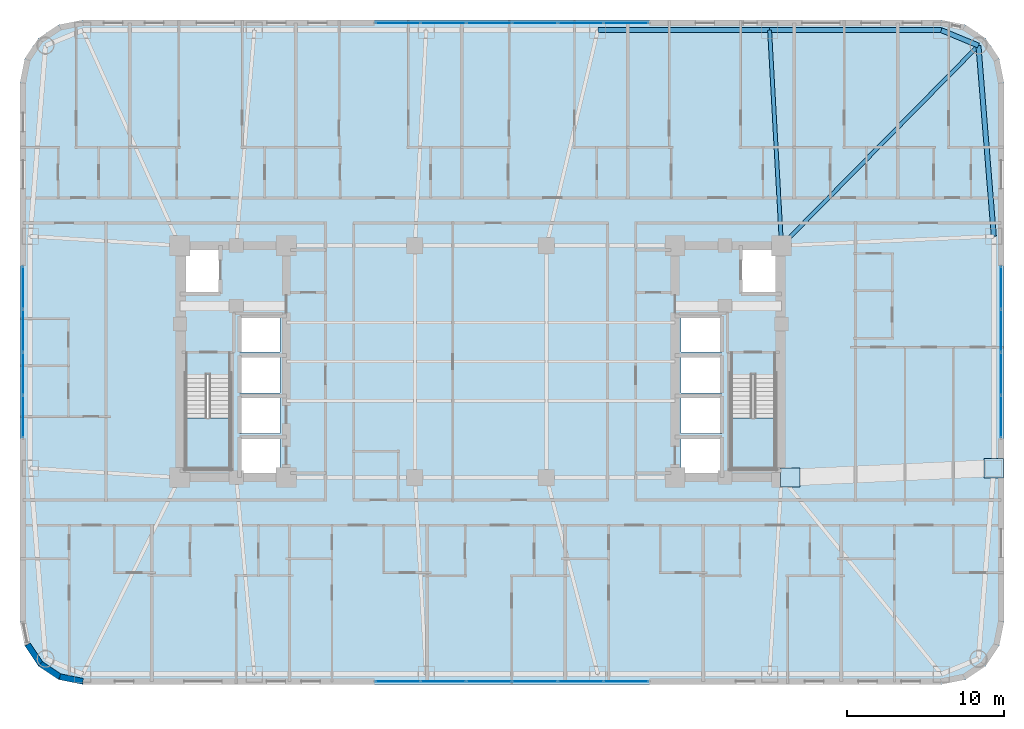
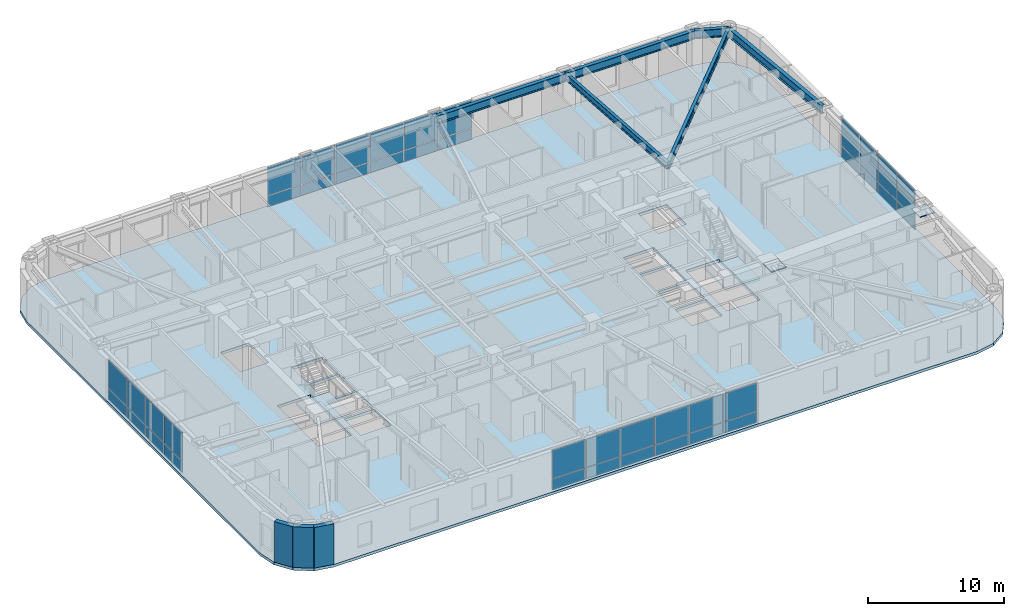
# One storey, part 19 of 28: 42 plates, 6 beams, 3 slabs, 3 walls, 6 elements without a shape of their own.
"""IFC4 building model written with IfcOpenShell, lengths in metres."""

from ifc_helpers import new_model, si_unit, direction, frame, frame_2d, origin, origin_2d, place, context, subcontext, project, spatial, polyline, rectangle, i_section, outline, extrude, material, layer, layer_set, material_profile, profile_set, type_object, element, aggregate, save


model = new_model("IFC4")

# Units and contexts
model_context = context("Model", 3, precision=1e-05, world=origin(), true_north=direction((0.0, 1.0)))
body_context = subcontext(model_context, "Body", "Model", "MODEL_VIEW")
ifc_project = project(units=[si_unit("LENGTHUNIT", "METRE"), si_unit("AREAUNIT", "SQUARE_METRE"), si_unit("VOLUMEUNIT", "CUBIC_METRE"), si_unit("PLANEANGLEUNIT", "RADIAN"), si_unit("MASSUNIT", "GRAM", prefix="KILO")], contexts=[model_context])

# Site, building, storey
site_placement = place(None, origin())
site = spatial("IfcSite", under=ifc_project, at=site_placement, CompositionType="ELEMENT")
building_placement = place(site_placement, origin())
building = spatial("IfcBuilding", under=site, at=building_placement, Name="Voryun Gate Residences", CompositionType="ELEMENT")
storey_placement = place(building_placement, frame((0.0, 0.0, 117.0)))
storey = spatial("IfcBuildingStorey", under=building, at=storey_placement, Name="L28", CompositionType="ELEMENT", Elevation=117.0)

# Beams
ifc_material_1 = material(Name="Steel SM355", Category="steel")
ifc_material_profile_1 = material_profile(ifc_material_1, i_section(OverallWidth=0.320068359375, OverallDepth=0.75, WebThickness=0.01611328125, FlangeThickness=0.028076171875, FilletRadius=0.01806640625, at=origin_2d()), Name="H-750x320x16x28")
ifc_profile_set_1 = profile_set([ifc_material_profile_1], Name="Steel SM355")
beam_type_1 = type_object("IfcBeamType", Name="BM_EXO_SPANDREL_L", PredefinedType="SPANDREL", material=ifc_profile_set_1)
beam_1_placement = place(storey_placement, frame((32.75, 7.998046875, 3.27490234375), z_axis=(-0.080359517973, 0.996765944378, 0.0), x_axis=(-0.996765944378, -0.080359517973, 0.0)))
element("IfcBeam", 1, at=beam_1_placement, inside=storey, type_object=beam_type_1, Name="BM-L28-SPAND-09", PredefinedType="SPANDREL", context=body_context, shape_type="SweptSolid", body=[
    extrude(i_section(OverallWidth=0.320068359375, OverallDepth=0.75, WebThickness=0.01611328125, FlangeThickness=0.028076171875, FilletRadius=0.01806640625, at=origin_2d()), origin(), (0.0, 0.0, 1.0), 12.210205078125),
])
beam_2_placement = place(storey_placement, frame((31.768798828125, 20.168701171875, 3.27490234375), z_axis=(-0.923883376753, 0.382674151414, 0.0), x_axis=(-0.382674151414, -0.923883376753, 0.0)))
element("IfcBeam", 2, at=beam_2_placement, inside=storey, type_object=beam_type_1, Name="BM-L28-SPAND-10", PredefinedType="SPANDREL", context=body_context, shape_type="SweptSolid", body=[
    extrude(i_section(OverallWidth=0.320068359375, OverallDepth=0.75, WebThickness=0.01611328125, FlangeThickness=0.028076171875, FilletRadius=0.01806640625, at=origin_2d()), origin(), (0.0, 0.0, 1.0), 2.56396484375),
])
for number, where, z_axis, x_axis, name in (
    (3, (29.39990234375, 21.14990234375, 3.27490234375), (-1.0, 0.0, 0.0), (0.0, -1.0, 0.0), "BM-L28-SPAND-11"),
    (4, (18.43994140625, 21.14990234375, 3.27490234375), (-1.0, 0.0, 0.0), (0.0, -1.0, 0.0), "BM-L28-SPAND-12"),
):
    element("IfcBeam", number, at=place(storey_placement, frame(where, z_axis=z_axis, x_axis=x_axis)), inside=storey, type_object=beam_type_1, Name=name, PredefinedType="SPANDREL", context=body_context, shape_type="SweptSolid", body=[
        extrude(i_section(OverallWidth=0.320068359375, OverallDepth=0.75, WebThickness=0.01611328125, FlangeThickness=0.028076171875, FilletRadius=0.01806640625, at=origin_2d()), origin(), (0.0, 0.0, 1.0), 10.9599609375),
    ])
ifc_material_2 = material(Name="Steel SM355", Category="steel")
ifc_material_profile_2 = material_profile(ifc_material_2, i_section(OverallWidth=0.25, OverallDepth=0.60009765625, WebThickness=0.011962890625, FlangeThickness=0.02197265625, FilletRadius=0.01806640625, at=origin_2d()), Name="H-600x250x12x22")
ifc_profile_set_2 = profile_set([ifc_material_profile_2], Name="Steel SM355")
beam_type_2 = type_object("IfcBeamType", Name="BM_GIRD_600", PredefinedType="USERDEFINED", material=ifc_profile_set_2)
beam_3_placement = place(storey_placement, frame((19.199951171875, 7.39990234375, 3.35009765625), z_axis=(0.701504829324, 0.712664699866, 0.0), x_axis=(-0.712664699866, 0.701504829324, 0.0)))
element("IfcBeam", 5, at=beam_3_placement, inside=storey, type_object=beam_type_2, Name="BM-L28-RAD-CNE", ObjectType="GIRDER", PredefinedType="USERDEFINED", context=body_context, shape_type="SweptSolid", body=[
    extrude(i_section(OverallWidth=0.25, OverallDepth=0.60009765625, WebThickness=0.011962890625, FlangeThickness=0.02197265625, FilletRadius=0.01806640625, at=origin_2d()), origin(), (0.0, 0.0, 1.0), 17.9169921875),
])
beam_4_placement = place(storey_placement, frame((19.199951171875, 7.39990234375, 3.35009765625), z_axis=(-0.055189196078, 0.9984759149, 0.0), x_axis=(-0.9984759149, -0.055189196078, 0.0)))
element("IfcBeam", 6, at=beam_4_placement, inside=storey, type_object=beam_type_2, Name="BM-L28-RAD-N2", ObjectType="GIRDER", PredefinedType="USERDEFINED", context=body_context, shape_type="SweptSolid", body=[
    extrude(i_section(OverallWidth=0.25, OverallDepth=0.60009765625, WebThickness=0.011962890625, FlangeThickness=0.02197265625, FilletRadius=0.01806640625, at=origin_2d()), origin(), (0.0, 0.0, 1.0), 13.77099609375),
])

# Plates
ifc_material_3 = material(Name="Steel SM355", Category="steel")
ifc_layer_1 = layer(ifc_material_3, 0.02490234375, Name="PLT_END_CAP_25")
ifc_layer_set_1 = layer_set([ifc_layer_1], Name="Steel SM355")
plate_type_1 = type_object("IfcPlateType", Name="PLT_END_CAP_25", PredefinedType="USERDEFINED", material=ifc_layer_set_1)
for number, where, z_axis, x_axis, name in (
    (7, (19.75, -7.39990234375, 3.06005859375), (0.0, 0.0, 1.0), (1.0, 0.0, 0.0), "L28 Hollow Member End-Cap Plate EC-382"),
    (8, (32.75, -6.798095703125, 3.06005859375), (0.0, 0.0, 1.0), (1.0, 0.0, 0.0), "L28 Hollow Member End-Cap Plate EC-383"),
):
    element("IfcPlate", number, at=place(storey_placement, frame(where, z_axis=z_axis, x_axis=x_axis)), inside=storey, type_object=plate_type_1, Name=name, ObjectType="BASE_PLATE", PredefinedType="USERDEFINED", context=body_context, shape_type="SweptSolid", body=[
        extrude(rectangle(XDim=1.239990234375, YDim=1.239990234375, at=origin_2d()), origin(), (0.0, 0.0, 1.0), 0.080078125),
    ])

# Curtain wall, plates
ifc_material_4 = material(Name="Anodised aluminium", Category="aluminium")
ifc_layer_2 = layer(ifc_material_4, 0.179931640625, Name="CW_SYS_RES_A_DARK_GLASS")
ifc_layer_set_2 = layer_set([ifc_layer_2], Name="Anodised aluminium")
curtain_wall_type = type_object("IfcCurtainWallType", Name="CW_SYS_RES_A_DARK_GLASS", PredefinedType="NOTDEFINED", material=ifc_layer_set_2)
curtain_wall_1_placement = place(storey_placement, origin())
curtain_wall_1 = element("IfcCurtainWall", 9, at=curtain_wall_1_placement, inside=storey, type_object=curtain_wall_type, Name="Curtain wall CWT-L28-01", PredefinedType="NOTDEFINED")
ifc_material_5 = material(Name="Laminated low-E glass", Category="glass")
ifc_layer_3 = layer(ifc_material_5, 0.0439453125, Name="PLT_GLASS_DARK_RES")
ifc_layer_set_3 = layer_set([ifc_layer_3], Name="Laminated low-E glass")
plate_type_2 = type_object("IfcPlateType", Name="PLT_GLASS_DARK_RES", PredefinedType="CURTAIN_PANEL", material=ifc_layer_set_3)
plate_1_placement = place(storey_placement, frame((9.28662109375, -20.409912109375, 0.06005859375), z_axis=(0.0, 0.0, 1.0), x_axis=(-1.0, 0.0, 0.0)))
plate_1 = element("IfcPlate", 10, at=plate_1_placement, type_object=plate_type_2, Name="CW3 panel 1.1", PredefinedType="CURTAIN_PANEL", context=body_context, shape_type="SweptSolid", body=[
    extrude(rectangle(XDim=2.83056640625, YDim=0.028076171875, at=origin_2d()), origin(), (0.0, 0.0, 1.0), 0.9599609375),
])
plate_2_placement = place(storey_placement, frame((9.28662109375, -20.409912109375, 1.080078125), z_axis=(0.0, 0.0, 1.0), x_axis=(-1.0, 0.0, 0.0)))
plate_2 = element("IfcPlate", 11, at=plate_2_placement, type_object=plate_type_2, Name="CW3 panel 1.2", PredefinedType="CURTAIN_PANEL", context=body_context, shape_type="SweptSolid", body=[
    extrude(rectangle(XDim=2.83056640625, YDim=0.028076171875, at=origin_2d()), origin(), (0.0, 0.0, 1.0), 2.510009765625),
])
plate_3_placement = place(storey_placement, frame((6.381103515625, -20.409912109375, 0.06005859375), z_axis=(0.0, 0.0, 1.0), x_axis=(-1.0, 0.0, 0.0)))
plate_3 = element("IfcPlate", 12, at=plate_3_placement, type_object=plate_type_2, Name="CW3 panel 2.1", PredefinedType="CURTAIN_PANEL", context=body_context, shape_type="SweptSolid", body=[
    extrude(rectangle(XDim=2.860595703125, YDim=0.028076171875, at=origin_2d()), origin(), (0.0, 0.0, 1.0), 0.9599609375),
])
plate_4_placement = place(storey_placement, frame((6.381103515625, -20.409912109375, 1.080078125), z_axis=(0.0, 0.0, 1.0), x_axis=(-1.0, 0.0, 0.0)))
plate_4 = element("IfcPlate", 13, at=plate_4_placement, type_object=plate_type_2, Name="CW3 panel 2.2", PredefinedType="CURTAIN_PANEL", context=body_context, shape_type="SweptSolid", body=[
    extrude(rectangle(XDim=2.860595703125, YDim=0.028076171875, at=origin_2d()), origin(), (0.0, 0.0, 1.0), 2.510009765625),
])
plate_5_placement = place(storey_placement, frame((3.46044921875, -20.409912109375, 0.06005859375), z_axis=(0.0, 0.0, 1.0), x_axis=(-1.0, 0.0, 0.0)))
plate_5 = element("IfcPlate", 14, at=plate_5_placement, type_object=plate_type_2, Name="CW3 panel 3.1", PredefinedType="CURTAIN_PANEL", context=body_context, shape_type="SweptSolid", body=[
    extrude(rectangle(XDim=2.860595703125, YDim=0.028076171875, at=origin_2d()), origin(), (0.0, 0.0, 1.0), 0.9599609375),
])
plate_6_placement = place(storey_placement, frame((3.46044921875, -20.409912109375, 1.080078125), z_axis=(0.0, 0.0, 1.0), x_axis=(-1.0, 0.0, 0.0)))
plate_6 = element("IfcPlate", 15, at=plate_6_placement, type_object=plate_type_2, Name="CW3 panel 3.2", PredefinedType="CURTAIN_PANEL", context=body_context, shape_type="SweptSolid", body=[
    extrude(rectangle(XDim=2.860595703125, YDim=0.028076171875, at=origin_2d()), origin(), (0.0, 0.0, 1.0), 2.510009765625),
])
plate_7_placement = place(storey_placement, frame((0.53955078125, -20.409912109375, 0.06005859375), z_axis=(0.0, 0.0, 1.0), x_axis=(-1.0, 0.0, 0.0)))
plate_7 = element("IfcPlate", 16, at=plate_7_placement, type_object=plate_type_2, Name="CW3 panel 4.1", PredefinedType="CURTAIN_PANEL", context=body_context, shape_type="SweptSolid", body=[
    extrude(rectangle(XDim=2.860595703125, YDim=0.028076171875, at=origin_2d()), origin(), (0.0, 0.0, 1.0), 0.9599609375),
])
plate_8_placement = place(storey_placement, frame((0.53955078125, -20.409912109375, 1.080078125), z_axis=(0.0, 0.0, 1.0), x_axis=(-1.0, 0.0, 0.0)))
plate_8 = element("IfcPlate", 17, at=plate_8_placement, type_object=plate_type_2, Name="CW3 panel 4.2", PredefinedType="CURTAIN_PANEL", context=body_context, shape_type="SweptSolid", body=[
    extrude(rectangle(XDim=2.860595703125, YDim=0.028076171875, at=origin_2d()), origin(), (0.0, 0.0, 1.0), 2.510009765625),
])
plate_9_placement = place(storey_placement, frame((-2.381103515625, -20.409912109375, 0.06005859375), z_axis=(0.0, 0.0, 1.0), x_axis=(-1.0, 0.0, 0.0)))
plate_9 = element("IfcPlate", 18, at=plate_9_placement, type_object=plate_type_2, Name="CW3 panel 5.1", PredefinedType="CURTAIN_PANEL", context=body_context, shape_type="SweptSolid", body=[
    extrude(rectangle(XDim=2.860595703125, YDim=0.028076171875, at=origin_2d()), origin(), (0.0, 0.0, 1.0), 0.9599609375),
])
plate_10_placement = place(storey_placement, frame((-2.381103515625, -20.409912109375, 1.080078125), z_axis=(0.0, 0.0, 1.0), x_axis=(-1.0, 0.0, 0.0)))
plate_10 = element("IfcPlate", 19, at=plate_10_placement, type_object=plate_type_2, Name="CW3 panel 5.2", PredefinedType="CURTAIN_PANEL", context=body_context, shape_type="SweptSolid", body=[
    extrude(rectangle(XDim=2.860595703125, YDim=0.028076171875, at=origin_2d()), origin(), (0.0, 0.0, 1.0), 2.510009765625),
])
plate_11_placement = place(storey_placement, frame((-5.28662109375, -20.409912109375, 0.06005859375), z_axis=(0.0, 0.0, 1.0), x_axis=(-1.0, 0.0, 0.0)))
plate_11 = element("IfcPlate", 20, at=plate_11_placement, type_object=plate_type_2, Name="CW3 panel 6.1", PredefinedType="CURTAIN_PANEL", context=body_context, shape_type="SweptSolid", body=[
    extrude(rectangle(XDim=2.83056640625, YDim=0.028076171875, at=origin_2d()), origin(), (0.0, 0.0, 1.0), 0.9599609375),
])
plate_12_placement = place(storey_placement, frame((-5.28662109375, -20.409912109375, 1.080078125), z_axis=(0.0, 0.0, 1.0), x_axis=(-1.0, 0.0, 0.0)))
plate_12 = element("IfcPlate", 21, at=plate_12_placement, type_object=plate_type_2, Name="CW3 panel 6.2", PredefinedType="CURTAIN_PANEL", context=body_context, shape_type="SweptSolid", body=[
    extrude(rectangle(XDim=2.83056640625, YDim=0.028076171875, at=origin_2d()), origin(), (0.0, 0.0, 1.0), 2.510009765625),
])
aggregate(curtain_wall_1, [plate_1, plate_2, plate_3, plate_4, plate_5, plate_6, plate_7, plate_8, plate_9, plate_10, plate_11, plate_12])

curtain_wall_2_placement = place(storey_placement, origin())
curtain_wall_2 = element("IfcCurtainWall", 22, at=curtain_wall_2_placement, inside=storey, type_object=curtain_wall_type, Name="Curtain wall CWT-L28-06", PredefinedType="NOTDEFINED")
plate_13_placement = place(storey_placement, frame((-29.2099609375, -3.508544921875, 0.06005859375), z_axis=(0.0, 0.0, 1.0), x_axis=(0.0, 1.0, 0.0)))
plate_13 = element("IfcPlate", 23, at=plate_13_placement, type_object=plate_type_2, Name="CW3 panel 1.1", PredefinedType="CURTAIN_PANEL", context=body_context, shape_type="SweptSolid", body=[
    extrude(rectangle(XDim=2.658935546875, YDim=0.028076171875, at=origin_2d()), origin(), (0.0, 0.0, 1.0), 0.9599609375),
])
plate_14_placement = place(storey_placement, frame((-29.2099609375, -3.508544921875, 1.080078125), z_axis=(0.0, 0.0, 1.0), x_axis=(0.0, 1.0, 0.0)))
plate_14 = element("IfcPlate", 24, at=plate_14_placement, type_object=plate_type_2, Name="CW3 panel 1.2", PredefinedType="CURTAIN_PANEL", context=body_context, shape_type="SweptSolid", body=[
    extrude(rectangle(XDim=2.658935546875, YDim=0.028076171875, at=origin_2d()), origin(), (0.0, 0.0, 1.0), 2.510009765625),
])
plate_15_placement = place(storey_placement, frame((-29.2099609375, -0.7744140625, 0.06005859375), z_axis=(0.0, 0.0, 1.0), x_axis=(0.0, 1.0, 0.0)))
plate_15 = element("IfcPlate", 25, at=plate_15_placement, type_object=plate_type_2, Name="CW3 panel 2.1", PredefinedType="CURTAIN_PANEL", context=body_context, shape_type="SweptSolid", body=[
    extrude(rectangle(XDim=2.68896484375, YDim=0.028076171875, at=origin_2d()), origin(), (0.0, 0.0, 1.0), 0.9599609375),
])
plate_16_placement = place(storey_placement, frame((-29.2099609375, -0.7744140625, 1.080078125), z_axis=(0.0, 0.0, 1.0), x_axis=(0.0, 1.0, 0.0)))
plate_16 = element("IfcPlate", 26, at=plate_16_placement, type_object=plate_type_2, Name="CW3 panel 2.2", PredefinedType="CURTAIN_PANEL", context=body_context, shape_type="SweptSolid", body=[
    extrude(rectangle(XDim=2.68896484375, YDim=0.028076171875, at=origin_2d()), origin(), (0.0, 0.0, 1.0), 2.510009765625),
])
plate_17_placement = place(storey_placement, frame((-29.2099609375, 1.974609375, 0.06005859375), z_axis=(0.0, 0.0, 1.0), x_axis=(0.0, 1.0, 0.0)))
plate_17 = element("IfcPlate", 27, at=plate_17_placement, type_object=plate_type_2, Name="CW3 panel 3.1", PredefinedType="CURTAIN_PANEL", context=body_context, shape_type="SweptSolid", body=[
    extrude(rectangle(XDim=2.68896484375, YDim=0.028076171875, at=origin_2d()), origin(), (0.0, 0.0, 1.0), 0.9599609375),
])
plate_18_placement = place(storey_placement, frame((-29.2099609375, 1.974609375, 1.080078125), z_axis=(0.0, 0.0, 1.0), x_axis=(0.0, 1.0, 0.0)))
plate_18 = element("IfcPlate", 28, at=plate_18_placement, type_object=plate_type_2, Name="CW3 panel 3.2", PredefinedType="CURTAIN_PANEL", context=body_context, shape_type="SweptSolid", body=[
    extrude(rectangle(XDim=2.68896484375, YDim=0.028076171875, at=origin_2d()), origin(), (0.0, 0.0, 1.0), 2.510009765625),
])
plate_19_placement = place(storey_placement, frame((-29.2099609375, 4.70849609375, 0.06005859375), z_axis=(0.0, 0.0, 1.0), x_axis=(0.0, 1.0, 0.0)))
plate_19 = element("IfcPlate", 29, at=plate_19_placement, type_object=plate_type_2, Name="CW3 panel 4.1", PredefinedType="CURTAIN_PANEL", context=body_context, shape_type="SweptSolid", body=[
    extrude(rectangle(XDim=2.658935546875, YDim=0.028076171875, at=origin_2d()), origin(), (0.0, 0.0, 1.0), 0.9599609375),
])
plate_20_placement = place(storey_placement, frame((-29.2099609375, 4.70849609375, 1.080078125), z_axis=(0.0, 0.0, 1.0), x_axis=(0.0, 1.0, 0.0)))
plate_20 = element("IfcPlate", 30, at=plate_20_placement, type_object=plate_type_2, Name="CW3 panel 4.2", PredefinedType="CURTAIN_PANEL", context=body_context, shape_type="SweptSolid", body=[
    extrude(rectangle(XDim=2.658935546875, YDim=0.028076171875, at=origin_2d()), origin(), (0.0, 0.0, 1.0), 2.510009765625),
])
aggregate(curtain_wall_2, [plate_13, plate_14, plate_15, plate_16, plate_17, plate_18, plate_19, plate_20])

curtain_wall_3_placement = place(storey_placement, origin())
curtain_wall_3 = element("IfcCurtainWall", 31, at=curtain_wall_3_placement, inside=storey, type_object=curtain_wall_type, Name="Curtain wall CWT-L28-11", PredefinedType="NOTDEFINED")
plate_21_placement = place(storey_placement, frame((-5.28662109375, 21.610107421875, 0.06005859375), z_axis=(0.0, 0.0, 1.0), x_axis=(1.0, 0.0, 0.0)))
plate_21 = element("IfcPlate", 32, at=plate_21_placement, type_object=plate_type_2, Name="CW3 panel 1.1", PredefinedType="CURTAIN_PANEL", context=body_context, shape_type="SweptSolid", body=[
    extrude(rectangle(XDim=2.83056640625, YDim=0.028076171875, at=origin_2d()), origin(), (0.0, 0.0, 1.0), 0.9599609375),
])
plate_22_placement = place(storey_placement, frame((-5.28662109375, 21.610107421875, 1.080078125), z_axis=(0.0, 0.0, 1.0), x_axis=(1.0, 0.0, 0.0)))
plate_22 = element("IfcPlate", 33, at=plate_22_placement, type_object=plate_type_2, Name="CW3 panel 1.2", PredefinedType="CURTAIN_PANEL", context=body_context, shape_type="SweptSolid", body=[
    extrude(rectangle(XDim=2.83056640625, YDim=0.028076171875, at=origin_2d()), origin(), (0.0, 0.0, 1.0), 2.510009765625),
])
plate_23_placement = place(storey_placement, frame((-2.381103515625, 21.610107421875, 0.06005859375), z_axis=(0.0, 0.0, 1.0), x_axis=(1.0, 0.0, 0.0)))
plate_23 = element("IfcPlate", 34, at=plate_23_placement, type_object=plate_type_2, Name="CW3 panel 2.1", PredefinedType="CURTAIN_PANEL", context=body_context, shape_type="SweptSolid", body=[
    extrude(rectangle(XDim=2.860595703125, YDim=0.028076171875, at=origin_2d()), origin(), (0.0, 0.0, 1.0), 0.9599609375),
])
plate_24_placement = place(storey_placement, frame((-2.381103515625, 21.610107421875, 1.080078125), z_axis=(0.0, 0.0, 1.0), x_axis=(1.0, 0.0, 0.0)))
plate_24 = element("IfcPlate", 35, at=plate_24_placement, type_object=plate_type_2, Name="CW3 panel 2.2", PredefinedType="CURTAIN_PANEL", context=body_context, shape_type="SweptSolid", body=[
    extrude(rectangle(XDim=2.860595703125, YDim=0.028076171875, at=origin_2d()), origin(), (0.0, 0.0, 1.0), 2.510009765625),
])
plate_25_placement = place(storey_placement, frame((0.53955078125, 21.610107421875, 0.06005859375), z_axis=(0.0, 0.0, 1.0), x_axis=(1.0, 0.0, 0.0)))
plate_25 = element("IfcPlate", 36, at=plate_25_placement, type_object=plate_type_2, Name="CW3 panel 3.1", PredefinedType="CURTAIN_PANEL", context=body_context, shape_type="SweptSolid", body=[
    extrude(rectangle(XDim=2.860595703125, YDim=0.028076171875, at=origin_2d()), origin(), (0.0, 0.0, 1.0), 0.9599609375),
])
plate_26_placement = place(storey_placement, frame((0.53955078125, 21.610107421875, 1.080078125), z_axis=(0.0, 0.0, 1.0), x_axis=(1.0, 0.0, 0.0)))
plate_26 = element("IfcPlate", 37, at=plate_26_placement, type_object=plate_type_2, Name="CW3 panel 3.2", PredefinedType="CURTAIN_PANEL", context=body_context, shape_type="SweptSolid", body=[
    extrude(rectangle(XDim=2.860595703125, YDim=0.028076171875, at=origin_2d()), origin(), (0.0, 0.0, 1.0), 2.510009765625),
])
plate_27_placement = place(storey_placement, frame((3.46044921875, 21.610107421875, 0.06005859375), z_axis=(0.0, 0.0, 1.0), x_axis=(1.0, 0.0, 0.0)))
plate_27 = element("IfcPlate", 38, at=plate_27_placement, type_object=plate_type_2, Name="CW3 panel 4.1", PredefinedType="CURTAIN_PANEL", context=body_context, shape_type="SweptSolid", body=[
    extrude(rectangle(XDim=2.860595703125, YDim=0.028076171875, at=origin_2d()), origin(), (0.0, 0.0, 1.0), 0.9599609375),
])
plate_28_placement = place(storey_placement, frame((3.46044921875, 21.610107421875, 1.080078125), z_axis=(0.0, 0.0, 1.0), x_axis=(1.0, 0.0, 0.0)))
plate_28 = element("IfcPlate", 39, at=plate_28_placement, type_object=plate_type_2, Name="CW3 panel 4.2", PredefinedType="CURTAIN_PANEL", context=body_context, shape_type="SweptSolid", body=[
    extrude(rectangle(XDim=2.860595703125, YDim=0.028076171875, at=origin_2d()), origin(), (0.0, 0.0, 1.0), 2.510009765625),
])
plate_29_placement = place(storey_placement, frame((6.381103515625, 21.610107421875, 0.06005859375), z_axis=(0.0, 0.0, 1.0), x_axis=(1.0, 0.0, 0.0)))
plate_29 = element("IfcPlate", 40, at=plate_29_placement, type_object=plate_type_2, Name="CW3 panel 5.1", PredefinedType="CURTAIN_PANEL", context=body_context, shape_type="SweptSolid", body=[
    extrude(rectangle(XDim=2.860595703125, YDim=0.028076171875, at=origin_2d()), origin(), (0.0, 0.0, 1.0), 0.9599609375),
])
plate_30_placement = place(storey_placement, frame((6.381103515625, 21.610107421875, 1.080078125), z_axis=(0.0, 0.0, 1.0), x_axis=(1.0, 0.0, 0.0)))
plate_30 = element("IfcPlate", 41, at=plate_30_placement, type_object=plate_type_2, Name="CW3 panel 5.2", PredefinedType="CURTAIN_PANEL", context=body_context, shape_type="SweptSolid", body=[
    extrude(rectangle(XDim=2.860595703125, YDim=0.028076171875, at=origin_2d()), origin(), (0.0, 0.0, 1.0), 2.510009765625),
])
plate_31_placement = place(storey_placement, frame((9.28662109375, 21.610107421875, 0.06005859375), z_axis=(0.0, 0.0, 1.0), x_axis=(1.0, 0.0, 0.0)))
plate_31 = element("IfcPlate", 42, at=plate_31_placement, type_object=plate_type_2, Name="CW3 panel 6.1", PredefinedType="CURTAIN_PANEL", context=body_context, shape_type="SweptSolid", body=[
    extrude(rectangle(XDim=2.83056640625, YDim=0.028076171875, at=origin_2d()), origin(), (0.0, 0.0, 1.0), 0.9599609375),
])
plate_32_placement = place(storey_placement, frame((9.28662109375, 21.610107421875, 1.080078125), z_axis=(0.0, 0.0, 1.0), x_axis=(1.0, 0.0, 0.0)))
plate_32 = element("IfcPlate", 43, at=plate_32_placement, type_object=plate_type_2, Name="CW3 panel 6.2", PredefinedType="CURTAIN_PANEL", context=body_context, shape_type="SweptSolid", body=[
    extrude(rectangle(XDim=2.83056640625, YDim=0.028076171875, at=origin_2d()), origin(), (0.0, 0.0, 1.0), 2.510009765625),
])
aggregate(curtain_wall_3, [plate_21, plate_22, plate_23, plate_24, plate_25, plate_26, plate_27, plate_28, plate_29, plate_30, plate_31, plate_32])

curtain_wall_4_placement = place(storey_placement, origin())
curtain_wall_4 = element("IfcCurtainWall", 44, at=curtain_wall_4_placement, inside=storey, type_object=curtain_wall_type, Name="Curtain wall CWT-L28-16", PredefinedType="NOTDEFINED")
plate_33_placement = place(storey_placement, frame((33.2099609375, 4.70849609375, 0.06005859375), z_axis=(0.0, 0.0, 1.0), x_axis=(0.0, -1.0, 0.0)))
plate_33 = element("IfcPlate", 45, at=plate_33_placement, type_object=plate_type_2, Name="CW3 panel 1.1", PredefinedType="CURTAIN_PANEL", context=body_context, shape_type="SweptSolid", body=[
    extrude(rectangle(XDim=2.658935546875, YDim=0.028076171875, at=origin_2d()), origin(), (0.0, 0.0, 1.0), 0.9599609375),
])
plate_34_placement = place(storey_placement, frame((33.2099609375, 4.70849609375, 1.080078125), z_axis=(0.0, 0.0, 1.0), x_axis=(0.0, -1.0, 0.0)))
plate_34 = element("IfcPlate", 46, at=plate_34_placement, type_object=plate_type_2, Name="CW3 panel 1.2", PredefinedType="CURTAIN_PANEL", context=body_context, shape_type="SweptSolid", body=[
    extrude(rectangle(XDim=2.658935546875, YDim=0.028076171875, at=origin_2d()), origin(), (0.0, 0.0, 1.0), 2.510009765625),
])
plate_35_placement = place(storey_placement, frame((33.2099609375, 1.974609375, 0.06005859375), z_axis=(0.0, 0.0, 1.0), x_axis=(0.0, -1.0, 0.0)))
plate_35 = element("IfcPlate", 47, at=plate_35_placement, type_object=plate_type_2, Name="CW3 panel 2.1", PredefinedType="CURTAIN_PANEL", context=body_context, shape_type="SweptSolid", body=[
    extrude(rectangle(XDim=2.68896484375, YDim=0.028076171875, at=origin_2d()), origin(), (0.0, 0.0, 1.0), 0.9599609375),
])
plate_36_placement = place(storey_placement, frame((33.2099609375, 1.974609375, 1.080078125), z_axis=(0.0, 0.0, 1.0), x_axis=(0.0, -1.0, 0.0)))
plate_36 = element("IfcPlate", 48, at=plate_36_placement, type_object=plate_type_2, Name="CW3 panel 2.2", PredefinedType="CURTAIN_PANEL", context=body_context, shape_type="SweptSolid", body=[
    extrude(rectangle(XDim=2.68896484375, YDim=0.028076171875, at=origin_2d()), origin(), (0.0, 0.0, 1.0), 2.510009765625),
])
plate_37_placement = place(storey_placement, frame((33.2099609375, -0.7744140625, 0.06005859375), z_axis=(0.0, 0.0, 1.0), x_axis=(0.0, -1.0, 0.0)))
plate_37 = element("IfcPlate", 49, at=plate_37_placement, type_object=plate_type_2, Name="CW3 panel 3.1", PredefinedType="CURTAIN_PANEL", context=body_context, shape_type="SweptSolid", body=[
    extrude(rectangle(XDim=2.68896484375, YDim=0.028076171875, at=origin_2d()), origin(), (0.0, 0.0, 1.0), 0.9599609375),
])
plate_38_placement = place(storey_placement, frame((33.2099609375, -0.7744140625, 1.080078125), z_axis=(0.0, 0.0, 1.0), x_axis=(0.0, -1.0, 0.0)))
plate_38 = element("IfcPlate", 50, at=plate_38_placement, type_object=plate_type_2, Name="CW3 panel 3.2", PredefinedType="CURTAIN_PANEL", context=body_context, shape_type="SweptSolid", body=[
    extrude(rectangle(XDim=2.68896484375, YDim=0.028076171875, at=origin_2d()), origin(), (0.0, 0.0, 1.0), 2.510009765625),
])
plate_39_placement = place(storey_placement, frame((33.2099609375, -3.508544921875, 0.06005859375), z_axis=(0.0, 0.0, 1.0), x_axis=(0.0, -1.0, 0.0)))
plate_39 = element("IfcPlate", 51, at=plate_39_placement, type_object=plate_type_2, Name="CW3 panel 4.1", PredefinedType="CURTAIN_PANEL", context=body_context, shape_type="SweptSolid", body=[
    extrude(rectangle(XDim=2.658935546875, YDim=0.028076171875, at=origin_2d()), origin(), (0.0, 0.0, 1.0), 0.9599609375),
])
plate_40_placement = place(storey_placement, frame((33.2099609375, -3.508544921875, 1.080078125), z_axis=(0.0, 0.0, 1.0), x_axis=(0.0, -1.0, 0.0)))
plate_40 = element("IfcPlate", 52, at=plate_40_placement, type_object=plate_type_2, Name="CW3 panel 4.2", PredefinedType="CURTAIN_PANEL", context=body_context, shape_type="SweptSolid", body=[
    extrude(rectangle(XDim=2.658935546875, YDim=0.028076171875, at=origin_2d()), origin(), (0.0, 0.0, 1.0), 2.510009765625),
])
aggregate(curtain_wall_4, [plate_33, plate_34, plate_35, plate_36, plate_37, plate_38, plate_39, plate_40])

# Slab
ifc_material_6 = material(Name="Concrete C40/50", Category="concrete")
ifc_layer_4 = layer(ifc_material_6, 0.25, Name="SLB_RES_250")
ifc_layer_set_4 = layer_set([ifc_layer_4], Name="Concrete C40/50")
slab_type_1 = type_object("IfcSlabType", Name="SLB_RES_250", PredefinedType="FLOOR", material=ifc_layer_set_4)
slab_1_placement = place(storey_placement, frame((0.0, 0.0, -0.25)))
element("IfcSlab", 53, at=slab_1_placement, inside=storey, type_object=slab_type_1, Name="L28 Structural Floor Slab", PredefinedType="FLOOR", context=body_context, shape_type="SweptSolid", body=[
    extrude(outline(polyline([(-25.39990234375, -20.60009765625), (-26.9306640625, -20.29541015625), (-28.228515625, -19.428466796875), (-29.095458984375, -18.130615234375), (-29.39990234375, -16.60009765625), (-29.39990234375, 17.800048828125), (-29.095458984375, 19.330810546875), (-28.228515625, 20.62841796875), (-26.9306640625, 21.49560546875), (-25.39990234375, 21.800048828125), (29.39990234375, 21.800048828125), (30.9306640625, 21.49560546875), (32.228515625, 20.62841796875), (33.095458984375, 19.330810546875), (33.39990234375, 17.800048828125), (33.39990234375, -16.60009765625), (33.095458984375, -18.130615234375), (32.228515625, -19.428466796875), (30.9306640625, -20.29541015625), (29.39990234375, -20.60009765625), (-25.39990234375, -20.60009765625)]), holes=[polyline([(-12.800048828125, -4.800048828125), (-15.39990234375, -4.800048828125), (-15.39990234375, -7.199951171875), (-12.800048828125, -7.199951171875), (-12.800048828125, -4.800048828125)]), polyline([(-18.824951171875, -6.85009765625), (-15.97509765625, -6.85009765625), (-15.97509765625, -0.840087890625), (-18.824951171875, -0.840087890625), (-18.824951171875, -6.85009765625)]), polyline([(-12.800048828125, -4.60009765625), (-12.800048828125, -2.199951171875), (-15.39990234375, -2.199951171875), (-15.39990234375, -4.60009765625), (-12.800048828125, -4.60009765625)]), polyline([(-12.800048828125, 0.39990234375), (-15.39990234375, 0.39990234375), (-15.39990234375, -2.0), (-12.800048828125, -2.0), (-12.800048828125, 0.39990234375)]), polyline([(-12.800048828125, 0.60009765625), (-12.800048828125, 2.89990234375), (-15.39990234375, 2.89990234375), (-15.39990234375, 0.60009765625), (-12.800048828125, 0.60009765625)]), polyline([(-16.60009765625, 4.300048828125), (-16.60009765625, 7.199951171875), (-19.0, 7.199951171875), (-19.0, 4.300048828125), (-16.60009765625, 4.300048828125)]), polyline([(15.39990234375, -4.800048828125), (12.800048828125, -4.800048828125), (12.800048828125, -7.199951171875), (15.39990234375, -7.199951171875), (15.39990234375, -4.800048828125)]), polyline([(15.97509765625, -6.85009765625), (18.824951171875, -6.85009765625), (18.824951171875, -0.840087890625), (15.97509765625, -0.840087890625), (15.97509765625, -6.85009765625)]), polyline([(15.39990234375, -4.60009765625), (15.39990234375, -2.199951171875), (12.800048828125, -2.199951171875), (12.800048828125, -4.60009765625), (15.39990234375, -4.60009765625)]), polyline([(15.39990234375, 0.39990234375), (12.800048828125, 0.39990234375), (12.800048828125, -2.0), (15.39990234375, -2.0), (15.39990234375, 0.39990234375)]), polyline([(15.39990234375, 0.60009765625), (15.39990234375, 2.89990234375), (12.800048828125, 2.89990234375), (12.800048828125, 0.60009765625), (15.39990234375, 0.60009765625)]), polyline([(19.0, 4.300048828125), (19.0, 7.199951171875), (16.60009765625, 7.199951171875), (16.60009765625, 4.300048828125), (19.0, 4.300048828125)])]), origin(), (0.0, 0.0, 1.0), 0.25),
])

# Stair, slab
ifc_material_7 = material(Name="Concrete C40/50", Category="concrete")
stair_type = type_object("IfcStairType", Name="STR_CORE_DOGLEG_1350", PredefinedType="HALF_TURN_STAIR", material=ifc_material_7)
stair_1_placement = place(storey_placement, origin())
stair_1 = element("IfcStair", 54, at=stair_1_placement, inside=storey, type_object=stair_type, Name="L28 Special Escape Stair ST-W1", PredefinedType="HALF_TURN_STAIR")
ifc_material_8 = material(Name="Concrete C40/50", Category="concrete")
ifc_layer_5 = layer(ifc_material_8, 0.199951171875, Name="SLB_STAIR_LANDING_200")
ifc_layer_set_5 = layer_set([ifc_layer_5], Name="Concrete C40/50")
slab_type_2 = type_object("IfcSlabType", Name="SLB_STAIR_LANDING_200", PredefinedType="LANDING", material=ifc_layer_set_5)
slab_2_placement = place(storey_placement, frame((0.0, 0.0, 1.75)))
slab_2 = element("IfcSlab", 55, at=slab_2_placement, type_object=slab_type_2, Name="ST-W1 landing 1", PredefinedType="LANDING", context=body_context, shape_type="SweptSolid", body=[
    extrude(outline(polyline([(-18.824951171875, -3.60009765625), (-18.824951171875, -6.85009765625), (-15.97509765625, -6.85009765625), (-15.97509765625, -3.60009765625), (-18.824951171875, -3.60009765625)])), origin(), (0.0, 0.0, 1.0), 0.199951171875),
])
aggregate(stair_1, [slab_2])

stair_2_placement = place(storey_placement, origin())
stair_2 = element("IfcStair", 56, at=stair_2_placement, inside=storey, type_object=stair_type, Name="L28 Special Escape Stair ST-E1", PredefinedType="HALF_TURN_STAIR")
slab_3_placement = place(storey_placement, frame((0.0, 0.0, 1.75)))
slab_3 = element("IfcSlab", 57, at=slab_3_placement, type_object=slab_type_2, Name="ST-E1 landing 1", PredefinedType="LANDING", context=body_context, shape_type="SweptSolid", body=[
    extrude(outline(polyline([(15.97509765625, -3.60009765625), (15.97509765625, -6.85009765625), (18.824951171875, -6.85009765625), (18.824951171875, -3.60009765625), (15.97509765625, -3.60009765625)])), origin(), (0.0, 0.0, 1.0), 0.199951171875),
])
aggregate(stair_2, [slab_3])

# Walls
ifc_material_9 = material(Name="Granite masonry", Category="masonry")
ifc_layer_6 = layer(ifc_material_9, 0.3798828125, Name="W_EXT_GRANITE_380")
ifc_layer_set_6 = layer_set([ifc_layer_6], Name="Granite masonry")
wall_type = type_object("IfcWallType", Name="W_EXT_GRANITE_380", PredefinedType="ELEMENTEDWALL", material=ifc_layer_set_6)
wall_1_placement = place(storey_placement, frame((-25.38134765625, -20.409912109375, 0.0), z_axis=(0.0, 0.0, 1.0), x_axis=(-0.980786132421, 0.195086038585, 0.0)))
element("IfcWall", 58, at=wall_1_placement, inside=storey, type_object=wall_type, Name="Exterior wall WEXT-L28-02", PredefinedType="ELEMENTEDWALL", context=body_context, shape_type="SweptSolid", body=[
    extrude(rectangle(XDim=1.504150390625, YDim=0.3798828125, at=frame_2d((0.751953125, 0.0))), origin(), (0.0, 0.0, 1.0), 3.64990234375),
])
wall_2_placement = place(storey_placement, frame((-26.856689453125, -20.116455078125, 0.0), z_axis=(0.0, 0.0, 1.0), x_axis=(-0.831468045563, 0.555572577804, 0.0)))
element("IfcWall", 59, at=wall_2_placement, inside=storey, type_object=wall_type, Name="Exterior wall WEXT-L28-03", PredefinedType="ELEMENTEDWALL", context=body_context, shape_type="SweptSolid", body=[
    extrude(rectangle(XDim=1.48486328125, YDim=0.3798828125, at=frame_2d((0.742431640625, 0.0))), origin(), (0.0, 0.0, 1.0), 3.64990234375),
])
wall_3_placement = place(storey_placement, frame((-28.09130859375, -19.29150390625, 0.0), z_axis=(0.0, 0.0, 1.0), x_axis=(-0.555610286119, 0.831442848281, 0.0)))
element("IfcWall", 60, at=wall_3_placement, inside=storey, type_object=wall_type, Name="Exterior wall WEXT-L28-04", PredefinedType="ELEMENTEDWALL", context=body_context, shape_type="SweptSolid", body=[
    extrude(rectangle(XDim=1.485107421875, YDim=0.3798828125, at=frame_2d((0.74267578125, 0.0))), origin(), (0.0, 0.0, 1.0), 3.64990234375),
])

save(model, "model.ifc")
